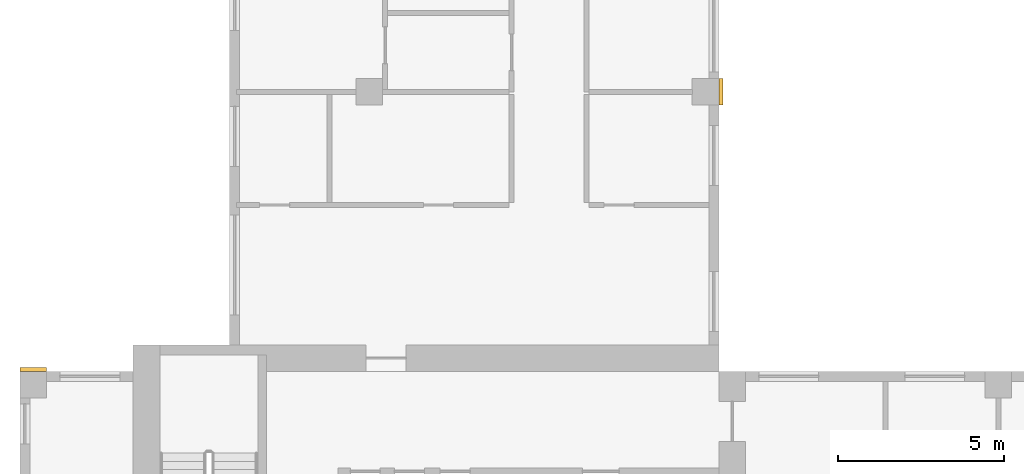
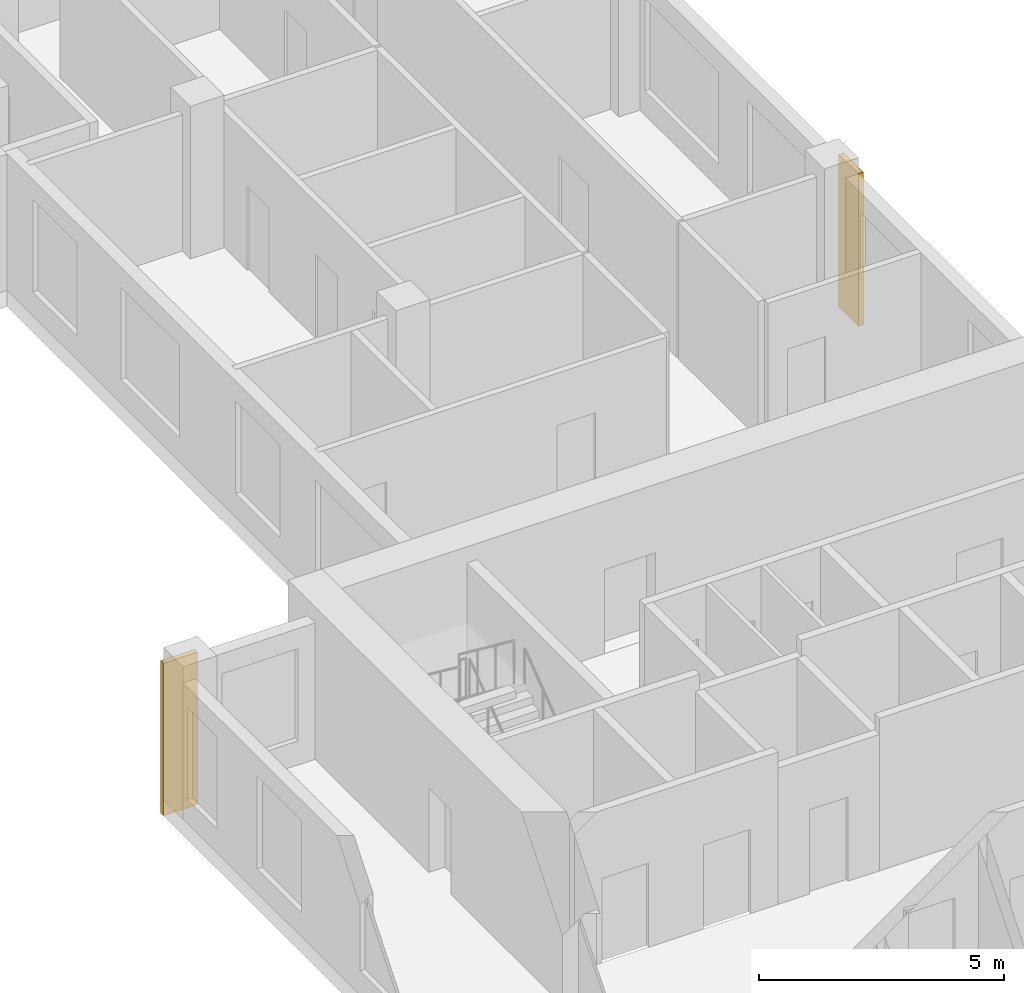
# One storey, part 9 of 11: 2 coverings.
"""IFC4 building model written with IfcOpenShell, lengths in metres."""

from ifc_helpers import new_model, si_unit, direction, frame, origin, origin_2d, place, context, subcontext, project, spatial, rectangle, extrude, source, transform, mapped, material, type_object, element, save


model = new_model("IFC4")

# Units and contexts
model_context = context("Model", 3, precision=1e-05, world=origin(), true_north=direction((0.0, 1.0)))
body_context = subcontext(model_context, "Body", "Model", "MODEL_VIEW")
ifc_project = project(units=[si_unit("LENGTHUNIT", "METRE"), si_unit("AREAUNIT", "SQUARE_METRE"), si_unit("VOLUMEUNIT", "CUBIC_METRE"), si_unit("PLANEANGLEUNIT", "RADIAN"), si_unit("MASSUNIT", "GRAM", prefix="KILO")], contexts=[model_context])

# Site, building, storey
site_placement = place(None, origin())
site = spatial("IfcSite", under=ifc_project, at=site_placement, CompositionType="ELEMENT")
building_placement = place(site_placement, origin())
building = spatial("IfcBuilding", under=site, at=building_placement, Name="Aurelian Terraces", CompositionType="ELEMENT")
storey_placement = place(building_placement, frame((0.0, 0.0, 265.2)))
storey = spatial("IfcBuildingStorey", under=building, at=storey_placement, Name="L61", CompositionType="ELEMENT", Elevation=265.2)

# Coverings
ifc_material = material(Name="Terracotta rainscreen cladding relief", Category="masonry")
covering_type = type_object("IfcCoveringType", Name="BAGUETTE-TC", PredefinedType="CLADDING", material=ifc_material)
shared_shape_1 = source(origin(), body_context, "Body", "SweptSolid", [
    extrude(rectangle(XDim=0.8, YDim=0.12, at=origin_2d()), origin(), (0.0, 0.0, 1.0), 3.8),
])
covering_1_placement = place(storey_placement, frame((0.4, 21.06, -0.4), z_axis=(0.0, 0.0, 1.0), x_axis=(1.0, 0.0, 0.0)))
element("IfcCovering", 1, at=covering_1_placement, inside=storey, type_object=covering_type, Name="BAGUETTE pier L61 4", PredefinedType="CLADDING", context=body_context, shape_type="MappedRepresentation", body=[
    mapped(shared_shape_1, transform((0.0, 0.0, 0.0), scale=1.0)),
])
shared_shape_2 = source(origin(), body_context, "Body", "SweptSolid", [
    extrude(rectangle(XDim=0.12, YDim=0.8, at=origin_2d()), origin(), (0.0, 0.0, 1.0), 3.8),
])
covering_2_placement = place(storey_placement, frame((21.06, 29.4, -0.4), z_axis=(0.0, 0.0, 1.0), x_axis=(1.0, 0.0, 0.0)))
element("IfcCovering", 2, at=covering_2_placement, inside=storey, type_object=covering_type, Name="BAGUETTE pier L61 6", PredefinedType="CLADDING", context=body_context, shape_type="MappedRepresentation", body=[
    mapped(shared_shape_2, transform((0.0, 0.0, 0.0), scale=1.0)),
])

save(model, "model.ifc")
